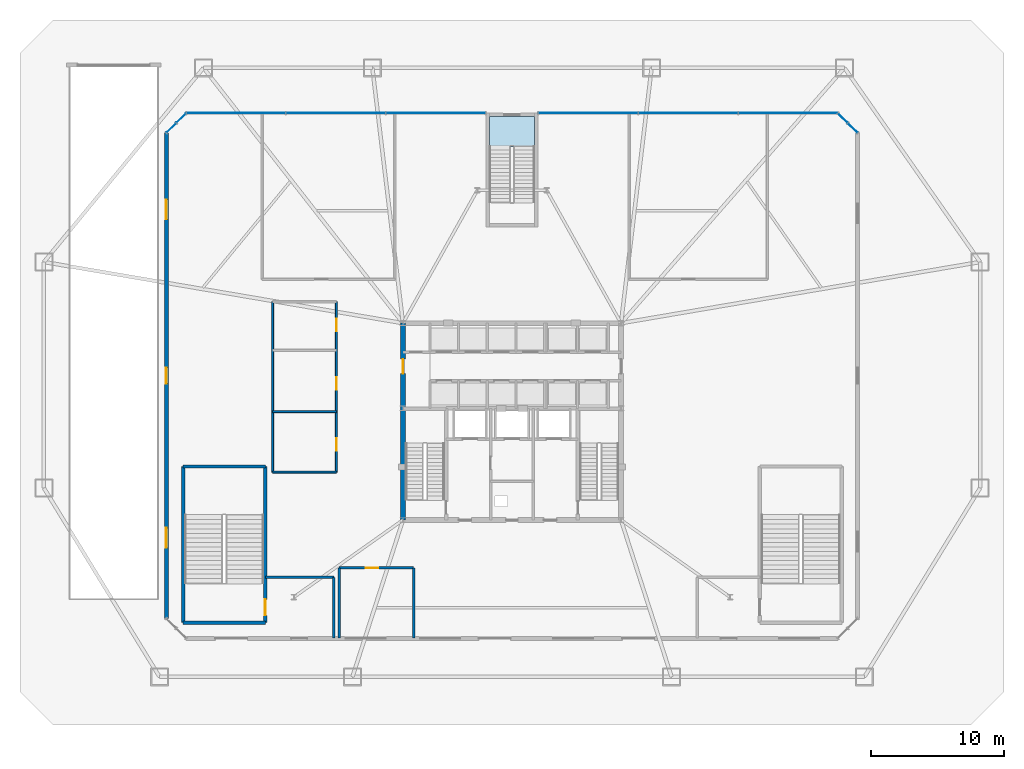
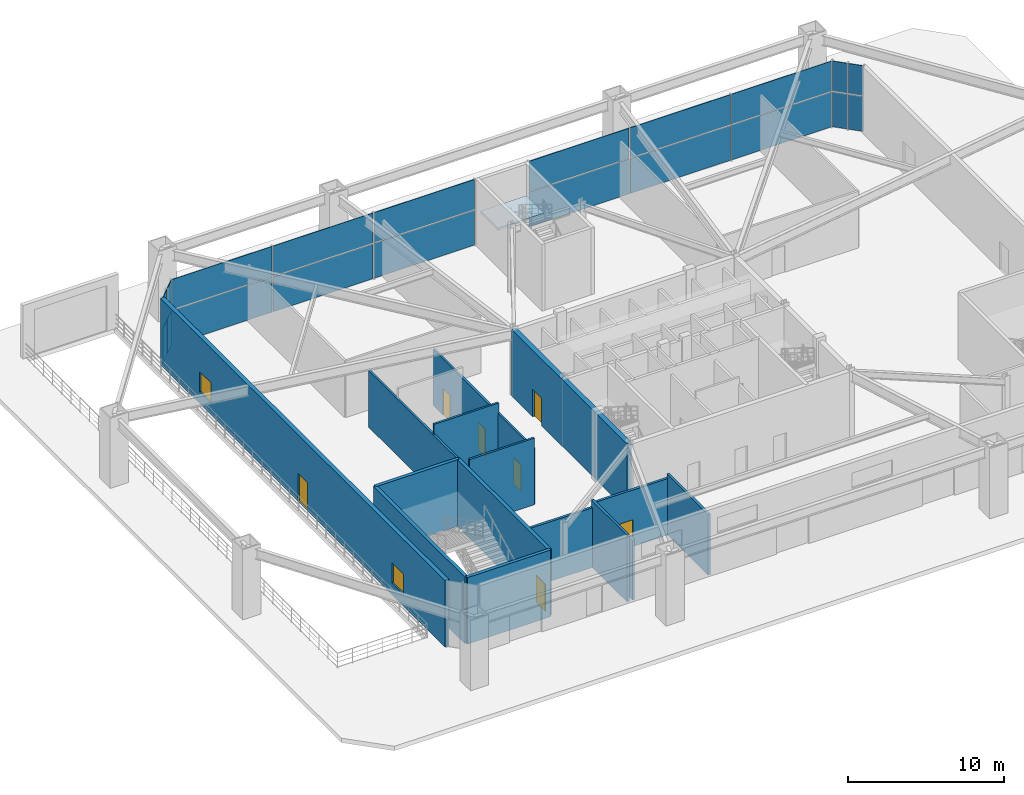
# One storey, part 14 of 20: 20 plates, 15 walls, 7 doors, 2 windows, 1 slab, 9 openings, 5 elements without a shape of their own.
"""IFC4 building model written with IfcOpenShell, lengths in metres."""

import ifcopenshell
import ifcopenshell.guid

model = None  # the IFC model being written
_history = None  # IfcOwnerHistory: only IFC2X3 demands one
_inside = {}  # id of a spatial element -> (the spatial element, [elements in it])
_under = {}  # id of a project, library or spatial element -> (it, [spatial elements below it])
_declared = {}  # id of a project -> (the project, [libraries it declares])
_typed = {}  # id of a type object -> (the type object, [elements of that type])
_made_of = {}  # id of a material, layer set ... -> (it, [elements and type objects made of it])


def new_model(schema):
    """Start an empty IFC model of exactly this schema.

    Asked for "IFC4X3", IfcOpenShell would pick the latest addendum, in which some entities
    have other attributes; the version numbers below select the first issue.
    IFC2X3 requires an IfcOwnerHistory on every rooted entity: one is made here for all.
    """
    global model, _history
    if schema == "IFC4X3":
        model = ifcopenshell.file(schema_version=(4, 3, 0, 0))
    else:
        model = ifcopenshell.file(schema=schema)
    _inside.clear()
    _under.clear()
    _declared.clear()
    _typed.clear()
    _made_of.clear()
    _history = None
    if model.schema == "IFC2X3":
        org = make("IfcOrganization", Name="unknown")
        user = make(
            "IfcPersonAndOrganization",
            ThePerson=make("IfcPerson", FamilyName="unknown"),
            TheOrganization=org,
        )
        app = make(
            "IfcApplication",
            ApplicationDeveloper=org,
            Version="unknown",
            ApplicationFullName="unknown",
            ApplicationIdentifier="unknown",
        )
        _history = make(
            "IfcOwnerHistory",
            OwningUser=user,
            OwningApplication=app,
            ChangeAction="ADDED",
            CreationDate=0,
        )
    return model


def make(cls, **values):
    """One entity of the class cls with the attributes given. An attribute that is None is left unset."""
    return model.create_entity(
        cls, **{name: value for name, value in values.items() if value is not None}
    )


def rooted(cls, **values):
    """An entity with a GlobalId (a new one), such as an element, a storey or a relation."""
    return make(cls, GlobalId=ifcopenshell.guid.new(), OwnerHistory=_history, **values)


def si_unit(unit_type, name, prefix=None):
    """IfcSIUnit, for example si_unit("LENGTHUNIT", "METRE", prefix="MILLI")."""
    return make("IfcSIUnit", UnitType=unit_type, Prefix=prefix, Name=name)


def assignment(units):
    """IfcUnitAssignment: the units of a project."""
    return None if units is None else make("IfcUnitAssignment", Units=units)


def point(xyz):
    """IfcCartesianPoint."""
    return None if xyz is None else make("IfcCartesianPoint", Coordinates=xyz)


def direction(xyz):
    """IfcDirection."""
    return None if xyz is None else make("IfcDirection", DirectionRatios=xyz)


def frame(location, z_axis=None, x_axis=None):
    """IfcAxis2Placement3D, a coordinate frame: its origin and axes. An axis left out is left unset."""
    return make(
        "IfcAxis2Placement3D",
        Location=point(location),
        Axis=direction(z_axis),
        RefDirection=direction(x_axis),
    )


def frame_2d(location, x_axis=None):
    """IfcAxis2Placement2D, a coordinate frame in the plane: its origin and x axis."""
    return make(
        "IfcAxis2Placement2D", Location=point(location), RefDirection=direction(x_axis)
    )


def origin():
    """The frame at (0, 0, 0) with its axes left unset."""
    return frame((0.0, 0.0, 0.0))


def origin_2d():
    """The frame at (0, 0) in the plane with its x axis left unset."""
    return frame_2d((0.0, 0.0))


def place(relative_to, where):
    """IfcLocalPlacement: puts the frame where relative to a parent placement (None: the world)."""
    return make(
        "IfcLocalPlacement", PlacementRelTo=relative_to, RelativePlacement=where
    )


def context(
    kind, dimensions, precision=None, world=None, true_north=None, identifier=None
):
    """IfcGeometricRepresentationContext, for example the 3D "Model" context."""
    return make(
        "IfcGeometricRepresentationContext",
        ContextIdentifier=identifier,
        ContextType=kind,
        CoordinateSpaceDimension=dimensions,
        Precision=precision,
        WorldCoordinateSystem=world,
        TrueNorth=true_north,
    )


def subcontext(parent, identifier, kind, view, scale=None):
    """IfcGeometricRepresentationSubContext, for example "Body" below "Model"."""
    return make(
        "IfcGeometricRepresentationSubContext",
        ContextIdentifier=identifier,
        ContextType=kind,
        ParentContext=parent,
        TargetScale=scale,
        TargetView=view,
    )


def project(units=None, contexts=None):
    """IfcProject with its units and contexts."""
    return rooted(
        "IfcProject",
        Name="project",
        RepresentationContexts=contexts,
        UnitsInContext=assignment(units),
    )


def spatial(cls, under=None, at=None, **own):
    """A site, building, storey or space (cls), placed at a placement, below another one or the project."""
    s = rooted(cls, ObjectPlacement=at, **own)
    if under is not None:
        _under.setdefault(under.id(), (under, []))[1].append(s)
    return s


def polyline(points):
    """IfcPolyline through the points."""
    return make("IfcPolyline", Points=[point(p) for p in points])


def profile(cls, at=None, kind="AREA", **sizes):
    """A parametric profile (cls). Its sizes go by their IFC names, for example OverallWidth=200.0."""
    return make(cls, ProfileType=kind, Position=at, **sizes)


def rectangle(**sizes):
    """IfcRectangleProfileDef."""
    return profile("IfcRectangleProfileDef", **sizes)


def outline(outer, holes=None, kind="AREA"):
    """IfcArbitraryClosedProfileDef: a profile drawn as a closed curve; with holes, ...WithVoids."""
    if holes is None:
        return make("IfcArbitraryClosedProfileDef", ProfileType=kind, OuterCurve=outer)
    return make(
        "IfcArbitraryProfileDefWithVoids",
        ProfileType=kind,
        OuterCurve=outer,
        InnerCurves=holes,
    )


def extrude(swept, where, along, depth):
    """IfcExtrudedAreaSolid: the profile swept, set in the frame where, extruded along a direction by depth."""
    return make(
        "IfcExtrudedAreaSolid",
        SweptArea=swept,
        Position=where,
        ExtrudedDirection=direction(along),
        Depth=depth,
    )


def shape(context_of_items, identifier, shape_type, items):
    """IfcShapeRepresentation: the items that make up one representation, for example the "Body"."""
    return make(
        "IfcShapeRepresentation",
        ContextOfItems=context_of_items,
        RepresentationIdentifier=identifier,
        RepresentationType=shape_type,
        Items=items,
    )


def source(mapping_origin, context_of_items, identifier, shape_type, items):
    """IfcRepresentationMap: a shape defined once, which mapped items show again and again."""
    return make(
        "IfcRepresentationMap",
        MappingOrigin=mapping_origin,
        MappedRepresentation=shape(context_of_items, identifier, shape_type, items),
    )


def transform(
    local_origin,
    x_axis=None,
    y_axis=None,
    z_axis=None,
    scale=None,
    scale2=None,
    scale3=None,
    uniform=True,
):
    """IfcCartesianTransformationOperator3D, or its non-uniform kind. x_axis, y_axis, z_axis: its Axis1, 2, 3."""
    if uniform:
        return make(
            "IfcCartesianTransformationOperator3D",
            Axis1=direction(x_axis),
            Axis2=direction(y_axis),
            LocalOrigin=point(local_origin),
            Scale=scale,
            Axis3=direction(z_axis),
        )
    return make(
        "IfcCartesianTransformationOperator3DnonUniform",
        Axis1=direction(x_axis),
        Axis2=direction(y_axis),
        LocalOrigin=point(local_origin),
        Scale=scale,
        Axis3=direction(z_axis),
        Scale2=scale2,
        Scale3=scale3,
    )


def mapped(mapping_source, mapping_target):
    """IfcMappedItem: shows the shape of a source again, moved by a transform."""
    return make(
        "IfcMappedItem", MappingSource=mapping_source, MappingTarget=mapping_target
    )


def material(Name=None, Category=None):
    """IfcMaterial."""
    return make("IfcMaterial", Name=Name, Category=Category)


def layer(
    of_material, thickness, ventilated=None, Name=None, Category=None, Priority=None
):
    """IfcMaterialLayer: one layer of a wall or slab, of a material (None: an air gap)."""
    return make(
        "IfcMaterialLayer",
        Material=of_material,
        LayerThickness=thickness,
        IsVentilated=ventilated,
        Name=Name,
        Category=Category,
        Priority=Priority,
    )


def layer_set(layers, Name=None):
    """IfcMaterialLayerSet."""
    return make("IfcMaterialLayerSet", MaterialLayers=layers, LayerSetName=Name)


def made_of(thing, what):
    """Note that an element or type object is made of a material, layer set ...; save() writes the relation."""
    if what is not None:
        _made_of.setdefault(what.id(), (what, []))[1].append(thing)
    return thing


def type_object(cls, material=None, **own):
    """A type object (cls), such as IfcWallType, which elements share."""
    return made_of(rooted(cls, **own), material)


def type_shapes(of_type, sources):
    """Give a type object the sources (RepresentationMaps) that its elements show as mapped items."""
    of_type.RepresentationMaps = sources


def element(
    cls,
    number,
    at=None,
    inside=None,
    cuts=None,
    type_object=None,
    material=None,
    context=None,
    identifier="Body",
    shape_type=None,
    held_by="IfcProductDefinitionShape",
    body=None,
    shapes=None,
    **own,
):
    """One element of the class cls, such as IfcWall. Its Tag is "e" and its number.

    at: its placement. inside: the storey or other place that contains it. cuts: it is an
    opening in that element (IfcRelVoidsElement). A single representation is given by context,
    identifier, shape_type and body (its items); several are given by shapes. held_by: the class
    of the entity that holds the representations. save() writes the other relations.
    """
    e = rooted(cls, Tag="e%d" % number, ObjectPlacement=at, **own)
    if body is not None:
        shapes = [shape(context, identifier, shape_type, body)]
    if shapes is not None:
        e.Representation = make(held_by, Representations=shapes)
    if inside is not None:
        _inside.setdefault(inside.id(), (inside, []))[1].append(e)
    if cuts is not None:
        rooted(
            "IfcRelVoidsElement", RelatingBuildingElement=cuts, RelatedOpeningElement=e
        )
    if type_object is not None:
        _typed.setdefault(type_object.id(), (type_object, []))[1].append(e)
    return made_of(e, material)


def fill(opening, filler):
    """IfcRelFillsElement: the door or window that sits in an opening."""
    return rooted(
        "IfcRelFillsElement",
        RelatingOpeningElement=opening,
        RelatedBuildingElement=filler,
    )


def aggregate(whole, parts):
    """IfcRelAggregates: a whole, such as a stair, and the parts it consists of."""
    return rooted("IfcRelAggregates", RelatingObject=whole, RelatedObjects=parts)


def save(model, path):
    """Write the relations noted so far, then the file.

    IfcRelAggregates (storeys below a building ...), IfcRelContainedInSpatialStructure (elements
    in a storey), IfcRelDefinesByType, IfcRelAssociatesMaterial and IfcRelDeclares: one each for
    every whole, place, type object, material and project.
    """
    for whole, parts in _under.values():
        aggregate(whole, parts)
    for where, things in _inside.values():
        rooted(
            "IfcRelContainedInSpatialStructure",
            RelatedElements=things,
            RelatingStructure=where,
        )
    for kind, things in _typed.values():
        rooted("IfcRelDefinesByType", RelatedObjects=things, RelatingType=kind)
    for what, things in _made_of.values():
        rooted("IfcRelAssociatesMaterial", RelatedObjects=things, RelatingMaterial=what)
    for by, libraries in _declared.values():
        rooted("IfcRelDeclares", RelatingContext=by, RelatedDefinitions=libraries)
    model.write(path)


model = new_model("IFC4")

# Units and contexts
model_context = context("Model", 3, precision=1e-05, world=origin(), true_north=direction((0.0, 1.0)))
body_context = subcontext(model_context, "Body", "Model", "MODEL_VIEW")
ifc_project = project(units=[si_unit("LENGTHUNIT", "METRE"), si_unit("AREAUNIT", "SQUARE_METRE"), si_unit("VOLUMEUNIT", "CUBIC_METRE"), si_unit("PLANEANGLEUNIT", "RADIAN"), si_unit("MASSUNIT", "GRAM", prefix="KILO")], contexts=[model_context])

# Site, building, storey
site_placement = place(None, origin())
site = spatial("IfcSite", under=ifc_project, at=site_placement, CompositionType="ELEMENT")
building_placement = place(site_placement, origin())
building = spatial("IfcBuilding", under=site, at=building_placement, Name="Varakhsha Concourse Tower", CompositionType="ELEMENT")
storey_placement = place(building_placement, origin())
storey = spatial("IfcBuildingStorey", under=building, at=storey_placement, Name="L01", CompositionType="ELEMENT", Elevation=0.0)

# Stair, slab
ifc_material_1 = material(Name="Concrete fc 45 MPa", Category="concrete")
stair_type = type_object("IfcStairType", Name="ST-DOGLEG-1600", PredefinedType="HALF_TURN_STAIR", material=ifc_material_1)
stair_placement = place(storey_placement, origin())
stair = element("IfcStair", 1, at=stair_placement, inside=storey, type_object=stair_type, Name="L01 Protected Exit Stair ST5", PredefinedType="HALF_TURN_STAIR")
ifc_layer_1 = layer(ifc_material_1, 0.199951171875, Name="SL-LAND-200")
ifc_layer_set_1 = layer_set([ifc_layer_1], Name="Concrete fc 45 MPa")
slab_type = type_object("IfcSlabType", Name="SL-LAND-200", PredefinedType="LANDING", material=ifc_layer_set_1)
slab_placement = place(storey_placement, frame((0.0, 0.0, 2.550048828125)))
slab = element("IfcSlab", 2, at=slab_placement, type_object=slab_type, Name="ST5 landing 1", PredefinedType="LANDING", context=body_context, shape_type="SweptSolid", body=[
    extrude(outline(polyline([(41.699951171875, 44.5), (41.699951171875, 46.75), (38.300048828125, 46.75), (38.300048828125, 44.5), (41.699951171875, 44.5)])), origin(), (0.0, 0.0, 1.0), 0.199951171875),
])
aggregate(stair, [slab])

# Curtain wall, plates
ifc_material_2 = material(Name="Anodised Bronze Architectural Aluminium AA 6063-T6", Category="aluminium")
ifc_layer_2 = layer(ifc_material_2, 0.239990234375, Name="CW-SYS-01")
ifc_layer_set_2 = layer_set([ifc_layer_2], Name="Anodised Bronze Architectural Aluminium AA 6063-T6")
curtain_wall_type = type_object("IfcCurtainWallType", Name="CW-SYS-01", PredefinedType="NOTDEFINED", material=ifc_layer_set_2)
curtain_wall_1_placement = place(storey_placement, origin())
curtain_wall_1 = element("IfcCurtainWall", 3, at=curtain_wall_1_placement, inside=storey, type_object=curtain_wall_type, Name="L01 Concourse Curtain Wall 04", PredefinedType="NOTDEFINED")
ifc_material_3 = material(Name="Low-E Triple Insulating Glass IGU 44 mm", Category="glass")
ifc_layer_3 = layer(ifc_material_3, 0.0439453125, Name="CWP-IGU-44")
ifc_layer_set_3 = layer_set([ifc_layer_3], Name="Low-E Triple Insulating Glass IGU 44 mm")
plate_type_1 = type_object("IfcPlateType", Name="CWP-IGU-44", PredefinedType="CURTAIN_PANEL", material=ifc_layer_set_3)
shared_shape_1 = source(origin(), body_context, "Body", "SweptSolid", [
    extrude(rectangle(XDim=0.981689453125, YDim=0.0439453125, at=origin_2d()), origin(), (0.0, 0.0, 1.0), 2.73095703125),
])
plate_1_placement = place(storey_placement, frame((65.625, 45.875, 0.034423828125), z_axis=(0.0, 0.0, 1.0), x_axis=(-0.707106781187, 0.707106781187, 0.0)))
plate_1 = element("IfcPlate", 4, at=plate_1_placement, type_object=plate_type_1, Name="CW-L01-04 Panel 00-00", PredefinedType="CURTAIN_PANEL", context=body_context, shape_type="MappedRepresentation", body=[
    mapped(shared_shape_1, transform((0.0, 0.0, 0.0), scale=1.0)),
])
plate_2_placement = place(storey_placement, frame((64.875, 46.625, 0.034423828125), z_axis=(0.0, 0.0, 1.0), x_axis=(-0.707106781187, 0.707106781187, 0.0)))
plate_2 = element("IfcPlate", 5, at=plate_2_placement, type_object=plate_type_1, Name="CW-L01-04 Panel 01-00", PredefinedType="CURTAIN_PANEL", context=body_context, shape_type="MappedRepresentation", body=[
    mapped(shared_shape_1, transform((0.0, 0.0, 0.0), scale=1.0)),
])

curtain_wall_2_placement = place(storey_placement, origin())
curtain_wall_2 = element("IfcCurtainWall", 6, at=curtain_wall_2_placement, inside=storey, type_object=curtain_wall_type, Name="L01 Concourse Curtain Wall 06", PredefinedType="NOTDEFINED")
plate_3_placement = place(storey_placement, frame((15.125, 46.625, 0.034423828125), z_axis=(0.0, 0.0, 1.0), x_axis=(-0.707106781187, -0.707106781187, 0.0)))
plate_3 = element("IfcPlate", 7, at=plate_3_placement, type_object=plate_type_1, Name="CW-L01-06 Panel 00-00", PredefinedType="CURTAIN_PANEL", context=body_context, shape_type="MappedRepresentation", body=[
    mapped(shared_shape_1, transform((0.0, 0.0, 0.0), scale=1.0)),
])
plate_4_placement = place(storey_placement, frame((14.375, 45.875, 0.034423828125), z_axis=(0.0, 0.0, 1.0), x_axis=(-0.707106781187, -0.707106781187, 0.0)))
plate_4 = element("IfcPlate", 8, at=plate_4_placement, type_object=plate_type_1, Name="CW-L01-06 Panel 01-00", PredefinedType="CURTAIN_PANEL", context=body_context, shape_type="MappedRepresentation", body=[
    mapped(shared_shape_1, transform((0.0, 0.0, 0.0), scale=1.0)),
])

# Plate
ifc_material_4 = material(Name="Glazed Turquoise-Bronze Ceramic Spandrel Panel 38 mm", Category="ceramic")
ifc_layer_4 = layer(ifc_material_4, 0.0380859375, Name="CWP-SPN-38")
ifc_layer_set_4 = layer_set([ifc_layer_4], Name="Glazed Turquoise-Bronze Ceramic Spandrel Panel 38 mm")
plate_type_2 = type_object("IfcPlateType", Name="CWP-SPN-38", PredefinedType="USERDEFINED", material=ifc_layer_set_4)
shared_shape_2 = source(origin(), body_context, "Body", "SweptSolid", [
    extrude(rectangle(XDim=0.981689453125, YDim=0.0380859375, at=origin_2d()), origin(), (0.0, 0.0, 1.0), 2.35107421875),
])
plate_5_placement = place(storey_placement, frame((65.625, 45.875, 2.83447265625), z_axis=(0.0, 0.0, 1.0), x_axis=(-0.707106781187, 0.707106781187, 0.0)))
plate_5 = element("IfcPlate", 9, at=plate_5_placement, type_object=plate_type_2, Name="CW-L01-04 Panel 00-01", ObjectType="SPANDREL", PredefinedType="USERDEFINED", context=body_context, shape_type="MappedRepresentation", body=[
    mapped(shared_shape_2, transform((0.0, 0.0, 0.0), scale=1.0)),
])

plate_6_placement = place(storey_placement, frame((64.875, 46.625, 2.83447265625), z_axis=(0.0, 0.0, 1.0), x_axis=(-0.707106781187, 0.707106781187, 0.0)))
plate_6 = element("IfcPlate", 10, at=plate_6_placement, type_object=plate_type_2, Name="CW-L01-04 Panel 01-01", ObjectType="SPANDREL", PredefinedType="USERDEFINED", context=body_context, shape_type="MappedRepresentation", body=[
    mapped(shared_shape_2, transform((0.0, 0.0, 0.0), scale=1.0)),
])

aggregate(curtain_wall_1, [plate_1, plate_5, plate_2, plate_6])

plate_7_placement = place(storey_placement, frame((15.125, 46.625, 2.83447265625), z_axis=(0.0, 0.0, 1.0), x_axis=(-0.707106781187, -0.707106781187, 0.0)))
plate_7 = element("IfcPlate", 11, at=plate_7_placement, type_object=plate_type_2, Name="CW-L01-06 Panel 00-01", ObjectType="SPANDREL", PredefinedType="USERDEFINED", context=body_context, shape_type="MappedRepresentation", body=[
    mapped(shared_shape_2, transform((0.0, 0.0, 0.0), scale=1.0)),
])

plate_8_placement = place(storey_placement, frame((14.375, 45.875, 2.83447265625), z_axis=(0.0, 0.0, 1.0), x_axis=(-0.707106781187, -0.707106781187, 0.0)))
plate_8 = element("IfcPlate", 12, at=plate_8_placement, type_object=plate_type_2, Name="CW-L01-06 Panel 01-01", ObjectType="SPANDREL", PredefinedType="USERDEFINED", context=body_context, shape_type="MappedRepresentation", body=[
    mapped(shared_shape_2, transform((0.0, 0.0, 0.0), scale=1.0)),
])

aggregate(curtain_wall_2, [plate_3, plate_7, plate_4, plate_8])

# Curtain wall, plates
curtain_wall_3_placement = place(storey_placement, origin())
curtain_wall_3 = element("IfcCurtainWall", 13, at=curtain_wall_3_placement, inside=storey, type_object=curtain_wall_type, Name="L01 Concourse Curtain Wall 05A", PredefinedType="NOTDEFINED")
shared_shape_3 = source(origin(), body_context, "Body", "SweptSolid", [
    extrude(rectangle(XDim=7.42431640625, YDim=0.0439453125, at=origin_2d()), origin(), (0.0, 0.0, 1.0), 2.73095703125),
])
type_shapes(plate_type_1, [shared_shape_1, shared_shape_3])
plate_9_placement = place(storey_placement, frame((60.748291015625, 47.0, 0.034423828125), z_axis=(0.0, 0.0, 1.0), x_axis=(-1.0, 0.0, 0.0)))
plate_9 = element("IfcPlate", 14, at=plate_9_placement, type_object=plate_type_1, Name="CW-L01-05A Panel 00-00", PredefinedType="CURTAIN_PANEL", context=body_context, shape_type="MappedRepresentation", body=[
    mapped(shared_shape_3, transform((0.0, 0.0, 0.0), scale=1.0)),
])
plate_10_placement = place(storey_placement, frame((53.2451171875, 47.0, 0.034423828125), z_axis=(0.0, 0.0, 1.0), x_axis=(-1.0, 0.0, 0.0)))
plate_10 = element("IfcPlate", 15, at=plate_10_placement, type_object=plate_type_1, Name="CW-L01-05A Panel 01-00", PredefinedType="CURTAIN_PANEL", context=body_context, shape_type="MappedRepresentation", body=[
    mapped(shared_shape_3, transform((0.0, 0.0, 0.0), scale=1.0)),
])
plate_11_placement = place(storey_placement, frame((45.74169921875, 47.0, 0.034423828125), z_axis=(0.0, 0.0, 1.0), x_axis=(-1.0, 0.0, 0.0)))
plate_11 = element("IfcPlate", 16, at=plate_11_placement, type_object=plate_type_1, Name="CW-L01-05A Panel 02-00", PredefinedType="CURTAIN_PANEL", context=body_context, shape_type="MappedRepresentation", body=[
    mapped(shared_shape_3, transform((0.0, 0.0, 0.0), scale=1.0)),
])

curtain_wall_4_placement = place(storey_placement, origin())
curtain_wall_4 = element("IfcCurtainWall", 17, at=curtain_wall_4_placement, inside=storey, type_object=curtain_wall_type, Name="L01 Concourse Curtain Wall 05B", PredefinedType="NOTDEFINED")
plate_12_placement = place(storey_placement, frame((34.25830078125, 47.0, 0.034423828125), z_axis=(0.0, 0.0, 1.0), x_axis=(-1.0, 0.0, 0.0)))
plate_12 = element("IfcPlate", 18, at=plate_12_placement, type_object=plate_type_1, Name="CW-L01-05B Panel 00-00", PredefinedType="CURTAIN_PANEL", context=body_context, shape_type="MappedRepresentation", body=[
    mapped(shared_shape_3, transform((0.0, 0.0, 0.0), scale=1.0)),
])
plate_13_placement = place(storey_placement, frame((26.7548828125, 47.0, 0.034423828125), z_axis=(0.0, 0.0, 1.0), x_axis=(-1.0, 0.0, 0.0)))
plate_13 = element("IfcPlate", 19, at=plate_13_placement, type_object=plate_type_1, Name="CW-L01-05B Panel 01-00", PredefinedType="CURTAIN_PANEL", context=body_context, shape_type="MappedRepresentation", body=[
    mapped(shared_shape_3, transform((0.0, 0.0, 0.0), scale=1.0)),
])
plate_14_placement = place(storey_placement, frame((19.251708984375, 47.0, 0.034423828125), z_axis=(0.0, 0.0, 1.0), x_axis=(-1.0, 0.0, 0.0)))
plate_14 = element("IfcPlate", 20, at=plate_14_placement, type_object=plate_type_1, Name="CW-L01-05B Panel 02-00", PredefinedType="CURTAIN_PANEL", context=body_context, shape_type="MappedRepresentation", body=[
    mapped(shared_shape_3, transform((0.0, 0.0, 0.0), scale=1.0)),
])

# Plate
shared_shape_4 = source(origin(), body_context, "Body", "SweptSolid", [
    extrude(rectangle(XDim=7.42431640625, YDim=0.0380859375, at=origin_2d()), origin(), (0.0, 0.0, 1.0), 2.35107421875),
])
type_shapes(plate_type_2, [shared_shape_2, shared_shape_4])
plate_15_placement = place(storey_placement, frame((60.748291015625, 47.0, 2.83447265625), z_axis=(0.0, 0.0, 1.0), x_axis=(-1.0, 0.0, 0.0)))
plate_15 = element("IfcPlate", 21, at=plate_15_placement, type_object=plate_type_2, Name="CW-L01-05A Panel 00-01", ObjectType="SPANDREL", PredefinedType="USERDEFINED", context=body_context, shape_type="MappedRepresentation", body=[
    mapped(shared_shape_4, transform((0.0, 0.0, 0.0), scale=1.0)),
])

plate_16_placement = place(storey_placement, frame((53.2451171875, 47.0, 2.83447265625), z_axis=(0.0, 0.0, 1.0), x_axis=(-1.0, 0.0, 0.0)))
plate_16 = element("IfcPlate", 22, at=plate_16_placement, type_object=plate_type_2, Name="CW-L01-05A Panel 01-01", ObjectType="SPANDREL", PredefinedType="USERDEFINED", context=body_context, shape_type="MappedRepresentation", body=[
    mapped(shared_shape_4, transform((0.0, 0.0, 0.0), scale=1.0)),
])

plate_17_placement = place(storey_placement, frame((45.74169921875, 47.0, 2.83447265625), z_axis=(0.0, 0.0, 1.0), x_axis=(-1.0, 0.0, 0.0)))
plate_17 = element("IfcPlate", 23, at=plate_17_placement, type_object=plate_type_2, Name="CW-L01-05A Panel 02-01", ObjectType="SPANDREL", PredefinedType="USERDEFINED", context=body_context, shape_type="MappedRepresentation", body=[
    mapped(shared_shape_4, transform((0.0, 0.0, 0.0), scale=1.0)),
])

aggregate(curtain_wall_3, [plate_9, plate_15, plate_10, plate_16, plate_11, plate_17])

plate_18_placement = place(storey_placement, frame((34.25830078125, 47.0, 2.83447265625), z_axis=(0.0, 0.0, 1.0), x_axis=(-1.0, 0.0, 0.0)))
plate_18 = element("IfcPlate", 24, at=plate_18_placement, type_object=plate_type_2, Name="CW-L01-05B Panel 00-01", ObjectType="SPANDREL", PredefinedType="USERDEFINED", context=body_context, shape_type="MappedRepresentation", body=[
    mapped(shared_shape_4, transform((0.0, 0.0, 0.0), scale=1.0)),
])

plate_19_placement = place(storey_placement, frame((26.7548828125, 47.0, 2.83447265625), z_axis=(0.0, 0.0, 1.0), x_axis=(-1.0, 0.0, 0.0)))
plate_19 = element("IfcPlate", 25, at=plate_19_placement, type_object=plate_type_2, Name="CW-L01-05B Panel 01-01", ObjectType="SPANDREL", PredefinedType="USERDEFINED", context=body_context, shape_type="MappedRepresentation", body=[
    mapped(shared_shape_4, transform((0.0, 0.0, 0.0), scale=1.0)),
])

plate_20_placement = place(storey_placement, frame((19.251708984375, 47.0, 2.83447265625), z_axis=(0.0, 0.0, 1.0), x_axis=(-1.0, 0.0, 0.0)))
plate_20 = element("IfcPlate", 26, at=plate_20_placement, type_object=plate_type_2, Name="CW-L01-05B Panel 02-01", ObjectType="SPANDREL", PredefinedType="USERDEFINED", context=body_context, shape_type="MappedRepresentation", body=[
    mapped(shared_shape_4, transform((0.0, 0.0, 0.0), scale=1.0)),
])

aggregate(curtain_wall_4, [plate_12, plate_18, plate_13, plate_19, plate_14, plate_20])

# Wall, opening, door
ifc_material_5 = material(Name="Concrete fc 65 MPa", Category="concrete")
ifc_layer_5 = layer(ifc_material_5, 0.35009765625, Name="WL-CORE-350")
ifc_layer_set_5 = layer_set([ifc_layer_5], Name="Concrete fc 65 MPa")
wall_type_1 = type_object("IfcWallType", Name="WL-CORE-350", PredefinedType="SHEAR", material=ifc_layer_set_5)
wall_1_placement = place(storey_placement, frame((31.800048828125, 16.39990234375, 0.0), z_axis=(0.0, 0.0, 1.0), x_axis=(0.0, 1.0, 0.0)))
wall_1 = element("IfcWall", 27, at=wall_1_placement, inside=storey, type_object=wall_type_1, Name="L01 Wall CWALL-W-L01", PredefinedType="SHEAR", context=body_context, shape_type="SweptSolid", body=[
    extrude(rectangle(XDim=14.800048828125, YDim=0.35009765625, at=frame_2d((7.39990234375, 0.0))), origin(), (0.0, 0.0, 1.0), 5.219970703125),
])
opening_1_placement = place(wall_1_placement, frame((11.0, 0.0, 0.0)))
opening_1 = element("IfcOpeningElement", 28, at=opening_1_placement, cuts=wall_1, Name="Opening DL-01", PredefinedType="OPENING", context=body_context, shape_type="SweptSolid", body=[
    extrude(rectangle(XDim=1.10009765625, YDim=2.14990234375, at=frame_2d((0.550048828125, 1.074951171875))), frame((0.0, 0.18505859375, 0.0), z_axis=(0.0, -1.0, 0.0), x_axis=(1.0, 0.0, 0.0)), (0.0, 0.0, 1.0), 0.3701171875),
])
door_type_1 = type_object("IfcDoorType", Name="DR-LOB-1100", OperationType="NOTDEFINED", PredefinedType="DOOR", material=ifc_material_2)
door_1_placement = place(opening_1_placement, origin())
door_1 = element("IfcDoor", 29, at=door_1_placement, inside=storey, type_object=door_type_1, Name="L01 Lift Lobby West Concourse Door", OperationType="SINGLE_SWING_LEFT", OverallHeight=2.14990234375, OverallWidth=1.10009765625, PredefinedType="DOOR", context=body_context, shape_type="SweptSolid", body=[
    extrude(rectangle(XDim=1.10009765625, YDim=2.14990234375, at=frame_2d((0.550048828125, 1.074951171875))), frame((0.0, 0.02490234375, 0.0), z_axis=(0.0, -1.0, 0.0), x_axis=(1.0, 0.0, 0.0)), (0.0, 0.0, 1.0), 0.050048828125),
])
fill(opening_1, door_1)

# Wall, openings, door, windows
ifc_layer_6 = layer(ifc_material_1, 0.300048828125, Name="WL-EXT-POD-300")
ifc_layer_set_6 = layer_set([ifc_layer_6], Name="Concrete fc 45 MPa")
wall_type_2 = type_object("IfcWallType", Name="WL-EXT-POD-300", PredefinedType="STANDARD", material=ifc_layer_set_6)
wall_2_placement = place(storey_placement, frame((14.0, 45.5, 0.0), z_axis=(0.0, 0.0, 1.0), x_axis=(0.0, -1.0, 0.0)))
wall_2 = element("IfcWall", 30, at=wall_2_placement, inside=storey, type_object=wall_type_2, Name="L01 Concourse Architectural Wall 07", PredefinedType="STANDARD", context=body_context, shape_type="SweptSolid", body=[
    extrude(rectangle(XDim=36.5, YDim=0.300048828125, at=frame_2d((18.25, 0.0))), origin(), (0.0, 0.0, 1.0), 5.219970703125),
])
opening_2_placement = place(wall_2_placement, frame((17.64990234375, 0.0, 0.0)))
opening_2 = element("IfcOpeningElement", 31, at=opening_2_placement, cuts=wall_2, Name="Opening DX-01", PredefinedType="OPENING", context=body_context, shape_type="SweptSolid", body=[
    extrude(rectangle(XDim=1.199951171875, YDim=2.199951171875, at=frame_2d((0.60009765625, 1.10009765625))), frame((0.0, 0.159912109375, 0.0), z_axis=(0.0, -1.0, 0.0), x_axis=(1.0, 0.0, 0.0)), (0.0, 0.0, 1.0), 0.320068359375),
])
opening_3_placement = place(wall_2_placement, frame((5.0, 0.0, 0.89990234375)))
opening_3 = element("IfcOpeningElement", 32, at=opening_3_placement, cuts=wall_2, Name="Opening W-03", PredefinedType="OPENING", context=body_context, shape_type="SweptSolid", body=[
    extrude(rectangle(XDim=1.5, YDim=1.60009765625, at=frame_2d((0.75, 0.800048828125))), frame((0.0, 0.159912109375, 0.0), z_axis=(0.0, -1.0, 0.0), x_axis=(1.0, 0.0, 0.0)), (0.0, 0.0, 1.0), 0.320068359375),
])
opening_4_placement = place(wall_2_placement, frame((29.699951171875, 0.0, 0.89990234375)))
opening_4 = element("IfcOpeningElement", 33, at=opening_4_placement, cuts=wall_2, Name="Opening W-03", PredefinedType="OPENING", context=body_context, shape_type="SweptSolid", body=[
    extrude(rectangle(XDim=1.5, YDim=1.60009765625, at=frame_2d((0.75, 0.800048828125))), frame((0.0, 0.159912109375, 0.0), z_axis=(0.0, -1.0, 0.0), x_axis=(1.0, 0.0, 0.0)), (0.0, 0.0, 1.0), 0.320068359375),
])
door_type_2 = type_object("IfcDoorType", Name="DR-EXIT-1200", OperationType="NOTDEFINED", PredefinedType="DOOR", material=ifc_material_2)
door_2_placement = place(opening_2_placement, origin())
door_2 = element("IfcDoor", 34, at=door_2_placement, inside=storey, type_object=door_type_2, Name="L01 Concourse Side Egress Door 7", OperationType="SINGLE_SWING_RIGHT", OverallHeight=2.199951171875, OverallWidth=1.199951171875, PredefinedType="DOOR", context=body_context, shape_type="SweptSolid", body=[
    extrude(rectangle(XDim=1.199951171875, YDim=2.199951171875, at=frame_2d((0.60009765625, 1.10009765625))), frame((0.0, 0.02490234375, 0.0), z_axis=(0.0, -1.0, 0.0), x_axis=(1.0, 0.0, 0.0)), (0.0, 0.0, 1.0), 0.050048828125),
])
fill(opening_2, door_2)
window_type = type_object("IfcWindowType", Name="WN-CORNER-1500", PartitioningType="SINGLE_PANEL", PredefinedType="WINDOW", material=ifc_material_3)
window_1_placement = place(opening_3_placement, origin())
window_1 = element("IfcWindow", 35, at=window_1_placement, inside=storey, type_object=window_type, Name="L01 Concourse Side Window 7-1", OverallHeight=1.60009765625, OverallWidth=1.5, PartitioningType="SINGLE_PANEL", PredefinedType="WINDOW", context=body_context, shape_type="SweptSolid", body=[
    extrude(rectangle(XDim=1.5, YDim=1.60009765625, at=frame_2d((0.75, 0.800048828125))), frame((0.0, 0.030029296875, 0.0), z_axis=(0.0, -1.0, 0.0), x_axis=(1.0, 0.0, 0.0)), (0.0, 0.0, 1.0), 0.06005859375),
])
fill(opening_3, window_1)
window_2_placement = place(opening_4_placement, origin())
window_2 = element("IfcWindow", 36, at=window_2_placement, inside=storey, type_object=window_type, Name="L01 Concourse Side Window 7-2", OverallHeight=1.60009765625, OverallWidth=1.5, PartitioningType="SINGLE_PANEL", PredefinedType="WINDOW", context=body_context, shape_type="SweptSolid", body=[
    extrude(rectangle(XDim=1.5, YDim=1.60009765625, at=frame_2d((0.75, 0.800048828125))), frame((0.0, 0.030029296875, 0.0), z_axis=(0.0, -1.0, 0.0), x_axis=(1.0, 0.0, 0.0)), (0.0, 0.0, 1.0), 0.06005859375),
])
fill(opening_4, window_2)

# Walls
ifc_material_6 = material(Name="Fire-Rated Type X Gypsum Partition Assembly", Category="gypsum")
ifc_layer_7 = layer(ifc_material_6, 0.14990234375, Name="WL-PART-150")
ifc_layer_set_7 = layer_set([ifc_layer_7], Name="Fire-Rated Type X Gypsum Partition Assembly")
wall_type_3 = type_object("IfcWallType", Name="WL-PART-150", PredefinedType="PARTITIONING", material=ifc_layer_set_7)
wall_3_placement = place(storey_placement, frame((22.0, 20.0, 0.0), z_axis=(0.0, 0.0, 1.0), x_axis=(0.0, 1.0, 0.0)))
element("IfcWall", 37, at=wall_3_placement, inside=storey, type_object=wall_type_3, Name="L01 Wall L01-WCW-BACK", PredefinedType="PARTITIONING", context=body_context, shape_type="SweptSolid", body=[
    extrude(rectangle(XDim=12.800048828125, YDim=0.14990234375, at=frame_2d((6.39990234375, 0.0))), origin(), (0.0, 0.0, 1.0), 4.430908203125),
])
wall_4_placement = place(storey_placement, frame((22.0, 24.550048828125, 0.0), z_axis=(0.0, 0.0, 1.0), x_axis=(1.0, 0.0, 0.0)))
element("IfcWall", 38, at=wall_4_placement, inside=storey, type_object=wall_type_3, Name="L01 Wall L01-WCW-D1", PredefinedType="PARTITIONING", context=body_context, shape_type="SweptSolid", body=[
    extrude(rectangle(XDim=4.800048828125, YDim=0.14990234375, at=frame_2d((2.39990234375, 0.0))), origin(), (0.0, 0.0, 1.0), 5.219970703125),
])

# Wall, openings, doors
wall_5_placement = place(storey_placement, frame((26.800048828125, 20.0, 0.0), z_axis=(0.0, 0.0, 1.0), x_axis=(0.0, 1.0, 0.0)))
wall_5 = element("IfcWall", 39, at=wall_5_placement, inside=storey, type_object=wall_type_3, Name="L01 Wall L01W-WC-FRONT", PredefinedType="PARTITIONING", context=body_context, shape_type="SweptSolid", body=[
    extrude(rectangle(XDim=12.800048828125, YDim=0.14990234375, at=frame_2d((6.39990234375, 0.0))), origin(), (0.0, 0.0, 1.0), 4.430908203125),
])
opening_5_placement = place(wall_5_placement, frame((1.60009765625, 0.0, 0.0)))
opening_5 = element("IfcOpeningElement", 40, at=opening_5_placement, cuts=wall_5, Name="Opening DF-05", PredefinedType="OPENING", context=body_context, shape_type="SweptSolid", body=[
    extrude(rectangle(XDim=0.949951171875, YDim=2.10009765625, at=frame_2d((0.47509765625, 1.050048828125))), frame((0.0, 0.0849609375, 0.0), z_axis=(0.0, -1.0, 0.0), x_axis=(1.0, 0.0, 0.0)), (0.0, 0.0, 1.0), 0.169921875),
])
opening_6_placement = place(wall_5_placement, frame((6.199951171875, 0.0, 0.0)))
opening_6 = element("IfcOpeningElement", 41, at=opening_6_placement, cuts=wall_5, Name="Opening DF-05", PredefinedType="OPENING", context=body_context, shape_type="SweptSolid", body=[
    extrude(rectangle(XDim=0.949951171875, YDim=2.10009765625, at=frame_2d((0.47509765625, 1.050048828125))), frame((0.0, 0.0849609375, 0.0), z_axis=(0.0, -1.0, 0.0), x_axis=(1.0, 0.0, 0.0)), (0.0, 0.0, 1.0), 0.169921875),
])
opening_7_placement = place(wall_5_placement, frame((10.60009765625, 0.0, 0.0)))
opening_7 = element("IfcOpeningElement", 42, at=opening_7_placement, cuts=wall_5, Name="Opening DF-05", PredefinedType="OPENING", context=body_context, shape_type="SweptSolid", body=[
    extrude(rectangle(XDim=0.949951171875, YDim=2.10009765625, at=frame_2d((0.47509765625, 1.050048828125))), frame((0.0, 0.0849609375, 0.0), z_axis=(0.0, -1.0, 0.0), x_axis=(1.0, 0.0, 0.0)), (0.0, 0.0, 1.0), 0.169921875),
])
ifc_material_7 = material(Name="Hollow Galvanised Steel Fire Door Assembly", Category="steel")
door_type_3 = type_object("IfcDoorType", Name="DR-FD60-950", OperationType="NOTDEFINED", PredefinedType="DOOR", material=ifc_material_7)
door_3_placement = place(opening_5_placement, origin())
door_3 = element("IfcDoor", 43, at=door_3_placement, inside=storey, type_object=door_type_3, Name="L01 Men Restroom WC Door", OperationType="SINGLE_SWING_LEFT", OverallHeight=2.10009765625, OverallWidth=0.949951171875, PredefinedType="DOOR", context=body_context, shape_type="SweptSolid", body=[
    extrude(rectangle(XDim=0.949951171875, YDim=2.10009765625, at=frame_2d((0.47509765625, 1.050048828125))), frame((0.0, 0.02490234375, 0.0), z_axis=(0.0, -1.0, 0.0), x_axis=(1.0, 0.0, 0.0)), (0.0, 0.0, 1.0), 0.050048828125),
])
fill(opening_5, door_3)
door_4_placement = place(opening_6_placement, origin())
door_4 = element("IfcDoor", 44, at=door_4_placement, inside=storey, type_object=door_type_3, Name="L01 Women Restroom WC Door", OperationType="SINGLE_SWING_LEFT", OverallHeight=2.10009765625, OverallWidth=0.949951171875, PredefinedType="DOOR", context=body_context, shape_type="SweptSolid", body=[
    extrude(rectangle(XDim=0.949951171875, YDim=2.10009765625, at=frame_2d((0.47509765625, 1.050048828125))), frame((0.0, 0.02490234375, 0.0), z_axis=(0.0, -1.0, 0.0), x_axis=(1.0, 0.0, 0.0)), (0.0, 0.0, 1.0), 0.050048828125),
])
fill(opening_6, door_4)
door_5_placement = place(opening_7_placement, origin())
door_5 = element("IfcDoor", 45, at=door_5_placement, inside=storey, type_object=door_type_3, Name="L01 Accessible WC Door", OperationType="SINGLE_SWING_LEFT", OverallHeight=2.10009765625, OverallWidth=0.949951171875, PredefinedType="DOOR", context=body_context, shape_type="SweptSolid", body=[
    extrude(rectangle(XDim=0.949951171875, YDim=2.10009765625, at=frame_2d((0.47509765625, 1.050048828125))), frame((0.0, 0.02490234375, 0.0), z_axis=(0.0, -1.0, 0.0), x_axis=(1.0, 0.0, 0.0)), (0.0, 0.0, 1.0), 0.050048828125),
])
fill(opening_7, door_5)

# Walls
wall_6_placement = place(storey_placement, frame((22.0, 20.0, 0.0), z_axis=(0.0, 0.0, 1.0), x_axis=(1.0, 0.0, 0.0)))
element("IfcWall", 46, at=wall_6_placement, inside=storey, type_object=wall_type_3, Name="L01 Wall L01W-WC-S", PredefinedType="PARTITIONING", context=body_context, shape_type="SweptSolid", body=[
    extrude(rectangle(XDim=4.800048828125, YDim=0.14990234375, at=frame_2d((2.39990234375, 0.0))), origin(), (0.0, 0.0, 1.0), 5.219970703125),
])
ifc_layer_8 = layer(ifc_material_6, 0.179931640625, Name="WL-PART-180")
ifc_layer_set_8 = layer_set([ifc_layer_8], Name="Fire-Rated Type X Gypsum Partition Assembly")
wall_type_4 = type_object("IfcWallType", Name="WL-PART-180", PredefinedType="PARTITIONING", material=ifc_layer_set_8)
wall_7_placement = place(storey_placement, frame((21.445068359375, 12.080078125, 0.0), z_axis=(0.0, 0.0, 1.0), x_axis=(1.0, 0.0, 0.0)))
element("IfcWall", 47, at=wall_7_placement, inside=storey, type_object=wall_type_4, Name="L01 Wall EP3W-N-L01", PredefinedType="PARTITIONING", context=body_context, shape_type="SweptSolid", body=[
    extrude(rectangle(XDim=5.155029296875, YDim=0.179931640625, at=frame_2d((2.57763671875, 0.0))), origin(), (0.0, 0.0, 1.0), 4.6708984375),
])
wall_8_placement = place(storey_placement, frame((26.60009765625, 7.5400390625, 0.0), z_axis=(0.0, 0.0, 1.0), x_axis=(0.0, 1.0, 0.0)))
element("IfcWall", 48, at=wall_8_placement, inside=storey, type_object=wall_type_4, Name="L01 Wall EP3W-E-L01", PredefinedType="PARTITIONING", context=body_context, shape_type="SweptSolid", body=[
    extrude(rectangle(XDim=4.5400390625, YDim=0.179931640625, at=frame_2d((2.27001953125, 0.0))), origin(), (0.0, 0.0, 1.0), 5.219970703125),
])
wall_9_placement = place(storey_placement, frame((27.0, 7.5400390625, 0.0), z_axis=(0.0, 0.0, 1.0), x_axis=(0.0, 1.0, 0.0)))
element("IfcWall", 49, at=wall_9_placement, inside=storey, type_object=wall_type_4, Name="L01 Wall L01-FCC-W", PredefinedType="PARTITIONING", context=body_context, shape_type="SweptSolid", body=[
    extrude(rectangle(XDim=5.260009765625, YDim=0.179931640625, at=frame_2d((2.6298828125, 0.0))), origin(), (0.0, 0.0, 1.0), 4.6708984375),
])

# Wall, opening, door
wall_10_placement = place(storey_placement, frame((27.0, 12.800048828125, 0.0), z_axis=(0.0, 0.0, 1.0), x_axis=(1.0, 0.0, 0.0)))
wall_10 = element("IfcWall", 50, at=wall_10_placement, inside=storey, type_object=wall_type_4, Name="L01 Wall L01W-FCC-A", PredefinedType="PARTITIONING", context=body_context, shape_type="SweptSolid", body=[
    extrude(rectangle(XDim=5.60009765625, YDim=0.179931640625, at=frame_2d((2.800048828125, 0.0))), origin(), (0.0, 0.0, 1.0), 4.430908203125),
])
opening_8_placement = place(wall_10_placement, frame((2.0, 0.0, 0.0)))
opening_8 = element("IfcOpeningElement", 51, at=opening_8_placement, cuts=wall_10, Name="Opening DF-03", PredefinedType="OPENING", context=body_context, shape_type="SweptSolid", body=[
    extrude(rectangle(XDim=0.949951171875, YDim=2.10009765625, at=frame_2d((0.47509765625, 1.050048828125))), frame((0.0, 0.099853515625, 0.0), z_axis=(0.0, -1.0, 0.0), x_axis=(1.0, 0.0, 0.0)), (0.0, 0.0, 1.0), 0.199951171875),
])
door_type_4 = type_object("IfcDoorType", Name="DR-FD90-950", OperationType="NOTDEFINED", PredefinedType="DOOR", material=ifc_material_7)
door_6_placement = place(opening_8_placement, origin())
door_6 = element("IfcDoor", 52, at=door_6_placement, inside=storey, type_object=door_type_4, Name="L01 Fire Command Center Door", OperationType="SINGLE_SWING_LEFT", OverallHeight=2.10009765625, OverallWidth=0.949951171875, PredefinedType="DOOR", context=body_context, shape_type="SweptSolid", body=[
    extrude(rectangle(XDim=0.949951171875, YDim=2.10009765625, at=frame_2d((0.47509765625, 1.050048828125))), frame((0.0, 0.02490234375, 0.0), z_axis=(0.0, -1.0, 0.0), x_axis=(1.0, 0.0, 0.0)), (0.0, 0.0, 1.0), 0.050048828125),
])
fill(opening_8, door_6)

# Walls
wall_11_placement = place(storey_placement, frame((32.60009765625, 7.5400390625, 0.0), z_axis=(0.0, 0.0, 1.0), x_axis=(0.0, 1.0, 0.0)))
element("IfcWall", 53, at=wall_11_placement, inside=storey, type_object=wall_type_4, Name="L01 Wall L01W-FCC-B", PredefinedType="PARTITIONING", context=body_context, shape_type="SweptSolid", body=[
    extrude(rectangle(XDim=5.260009765625, YDim=0.179931640625, at=frame_2d((2.6298828125, 0.0))), origin(), (0.0, 0.0, 1.0), 4.7529296875),
])
ifc_layer_9 = layer(ifc_material_1, 0.25, Name="WL-STAIR-250")
ifc_layer_set_9 = layer_set([ifc_layer_9], Name="Concrete fc 45 MPa")
wall_type_5 = type_object("IfcWallType", Name="WL-STAIR-250", PredefinedType="SHEAR", material=ifc_layer_set_9)
for number, where, z_axis, x_axis, name in (
    (54, (15.27490234375, 20.425048828125, 0.0), (0.0, 0.0, 1.0), (1.0, 0.0, 0.0), "L01 Wall ST3W-N-L01"),
    (55, (15.27490234375, 8.675048828125, 0.0), (0.0, 0.0, 1.0), (1.0, 0.0, 0.0), "L01 Wall ST3W-S-L01"),
):
    element("IfcWall", number, at=place(storey_placement, frame(where, z_axis=z_axis, x_axis=x_axis)), inside=storey, type_object=wall_type_5, Name=name, PredefinedType="SHEAR", context=body_context, shape_type="SweptSolid", body=[
        extrude(rectangle(XDim=6.170166015625, YDim=0.25, at=frame_2d((3.0849609375, 0.0))), origin(), (0.0, 0.0, 1.0), 5.219970703125),
    ])
wall_12_placement = place(storey_placement, frame((15.27490234375, 8.675048828125, 0.0), z_axis=(0.0, 0.0, 1.0), x_axis=(0.0, 1.0, 0.0)))
element("IfcWall", 56, at=wall_12_placement, inside=storey, type_object=wall_type_5, Name="L01 Wall ST3W-W-L01", PredefinedType="SHEAR", context=body_context, shape_type="SweptSolid", body=[
    extrude(rectangle(XDim=11.75, YDim=0.25, at=frame_2d((5.875, 0.0))), origin(), (0.0, 0.0, 1.0), 5.219970703125),
])

# Wall, opening, door
wall_13_placement = place(storey_placement, frame((21.445068359375, 8.675048828125, 0.0), z_axis=(0.0, 0.0, 1.0), x_axis=(0.0, 1.0, 0.0)))
wall_13 = element("IfcWall", 57, at=wall_13_placement, inside=storey, type_object=wall_type_5, Name="L01 Wall ST3W-E-L01", PredefinedType="SHEAR", context=body_context, shape_type="SweptSolid", body=[
    extrude(rectangle(XDim=11.75, YDim=0.25, at=frame_2d((5.875, 0.0))), origin(), (0.0, 0.0, 1.0), 5.219970703125),
])
opening_9_placement = place(wall_13_placement, frame((0.550048828125, 0.0, 0.0)))
opening_9 = element("IfcOpeningElement", 58, at=opening_9_placement, cuts=wall_13, Name="Opening DF-01", PredefinedType="OPENING", context=body_context, shape_type="SweptSolid", body=[
    extrude(rectangle(XDim=1.199951171875, YDim=2.14990234375, at=frame_2d((0.60009765625, 1.074951171875))), frame((0.0, 0.135009765625, 0.0), z_axis=(0.0, -1.0, 0.0), x_axis=(1.0, 0.0, 0.0)), (0.0, 0.0, 1.0), 0.27001953125),
])
door_type_5 = type_object("IfcDoorType", Name="DR-FD90-1200", OperationType="NOTDEFINED", PredefinedType="DOOR", material=ifc_material_7)
door_7_placement = place(opening_9_placement, origin())
door_7 = element("IfcDoor", 59, at=door_7_placement, inside=storey, type_object=door_type_5, Name="L01 Stair ST3 Discharge Door", OperationType="SINGLE_SWING_LEFT", OverallHeight=2.14990234375, OverallWidth=1.199951171875, PredefinedType="DOOR", context=body_context, shape_type="SweptSolid", body=[
    extrude(rectangle(XDim=1.199951171875, YDim=2.14990234375, at=frame_2d((0.60009765625, 1.074951171875))), frame((0.0, 0.02490234375, 0.0), z_axis=(0.0, -1.0, 0.0), x_axis=(1.0, 0.0, 0.0)), (0.0, 0.0, 1.0), 0.050048828125),
])
fill(opening_9, door_7)

save(model, "model.ifc")
